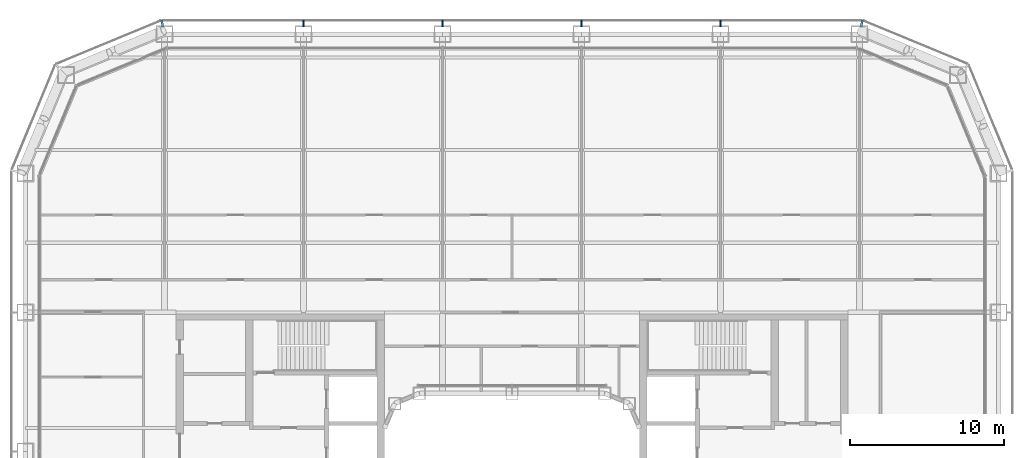
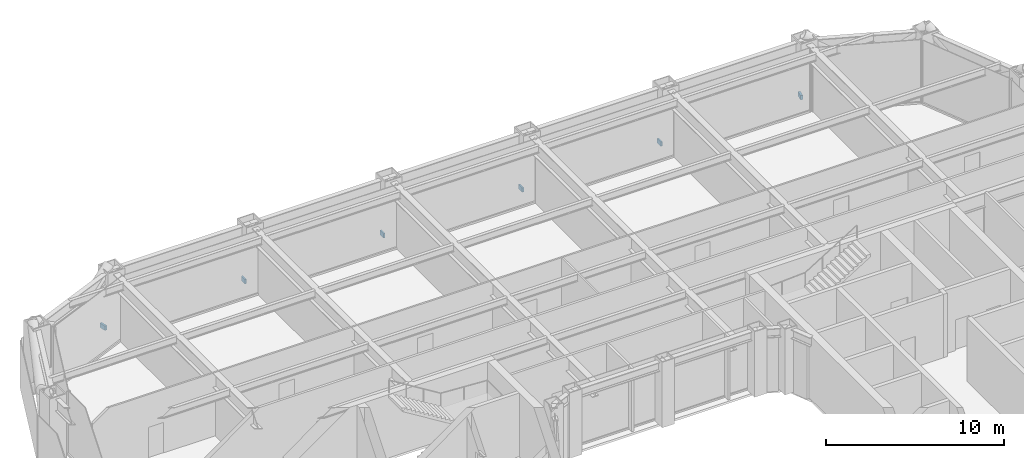
# One storey, part 19 of 24: 6 discrete accessories.
"""IFC4 building model written with IfcOpenShell, lengths in metres."""

from ifc_helpers import new_model, si_unit, direction, frame, origin, origin_2d, place, context, subcontext, project, spatial, rectangle, extrude, material, type_object, element, save


model = new_model("IFC4")

# Units and contexts
model_context = context("Model", 3, precision=1e-05, world=origin(), true_north=direction((0.0, 1.0)))
body_context = subcontext(model_context, "Body", "Model", "MODEL_VIEW")
ifc_project = project(units=[si_unit("LENGTHUNIT", "METRE"), si_unit("AREAUNIT", "SQUARE_METRE"), si_unit("VOLUMEUNIT", "CUBIC_METRE"), si_unit("PLANEANGLEUNIT", "RADIAN"), si_unit("MASSUNIT", "GRAM", prefix="KILO")], contexts=[model_context])

# Site, building, storey
site_placement = place(None, origin())
site = spatial("IfcSite", under=ifc_project, at=site_placement, CompositionType="ELEMENT")
building_placement = place(site_placement, origin())
building = spatial("IfcBuilding", under=site, at=building_placement, Name="Siwar Civic Tower", CompositionType="ELEMENT")
storey_placement = place(building_placement, frame((0.0, 0.0, 22.199951171875)))
storey = spatial("IfcBuildingStorey", under=building, at=storey_placement, Name="L04", CompositionType="ELEMENT", Elevation=22.199951171875)

# Discrete accessories
ifc_material = material(Name="Stainless steel 316", Category="steel")
discrete_accessory_type = type_object("IfcDiscreteAccessoryType", Name="ENV-BRACKET", PredefinedType="BRACKET", material=ifc_material)
for number, where, z_axis, x_axis, name in (
    (1, (13.5, 32.18994140625, -0.14990234375), (0.0, 0.0, 1.0), (0.0, 1.0, 0.0), "Bracket outer skin joint N-01"),
    (2, (4.5, 32.18994140625, -0.14990234375), (0.0, 0.0, 1.0), (0.0, 1.0, 0.0), "Bracket outer skin joint N-02"),
    (3, (-4.5, 32.18994140625, -0.14990234375), (0.0, 0.0, 1.0), (0.0, 1.0, 0.0), "Bracket outer skin joint N-03"),
    (4, (-13.5, 32.18994140625, -0.14990234375), (0.0, 0.0, 1.0), (0.0, 1.0, 0.0), "Bracket outer skin joint N-04"),
):
    element("IfcDiscreteAccessory", number, at=place(storey_placement, frame(where, z_axis=z_axis, x_axis=x_axis)), inside=storey, type_object=discrete_accessory_type, Name=name, PredefinedType="BRACKET", context=body_context, shape_type="SweptSolid", body=[
        extrude(rectangle(XDim=0.419921875, YDim=0.10009765625, at=origin_2d()), origin(), (0.0, 0.0, 1.0), 0.300048828125),
    ])
for number, where, z_axis, x_axis, name in (
    (5, (22.63720703125, 32.190185546875, -0.14990234375), (0.0, 0.0, 1.0), (0.195090322016, 0.980785280403, 0.0), "Bracket outer skin joint V06"),
    (6, (-22.63720703125, 32.190185546875, -0.14990234375), (0.0, 0.0, 1.0), (-0.195090322016, 0.980785280403, 0.0), "Bracket outer skin joint V07"),
):
    element("IfcDiscreteAccessory", number, at=place(storey_placement, frame(where, z_axis=z_axis, x_axis=x_axis)), inside=storey, type_object=discrete_accessory_type, Name=name, PredefinedType="BRACKET", context=body_context, shape_type="SweptSolid", body=[
        extrude(rectangle(XDim=0.427734375, YDim=0.13720703125, at=origin_2d()), origin(), (0.0, 0.0, 1.0), 0.300048828125),
    ])

save(model, "model.ifc")
